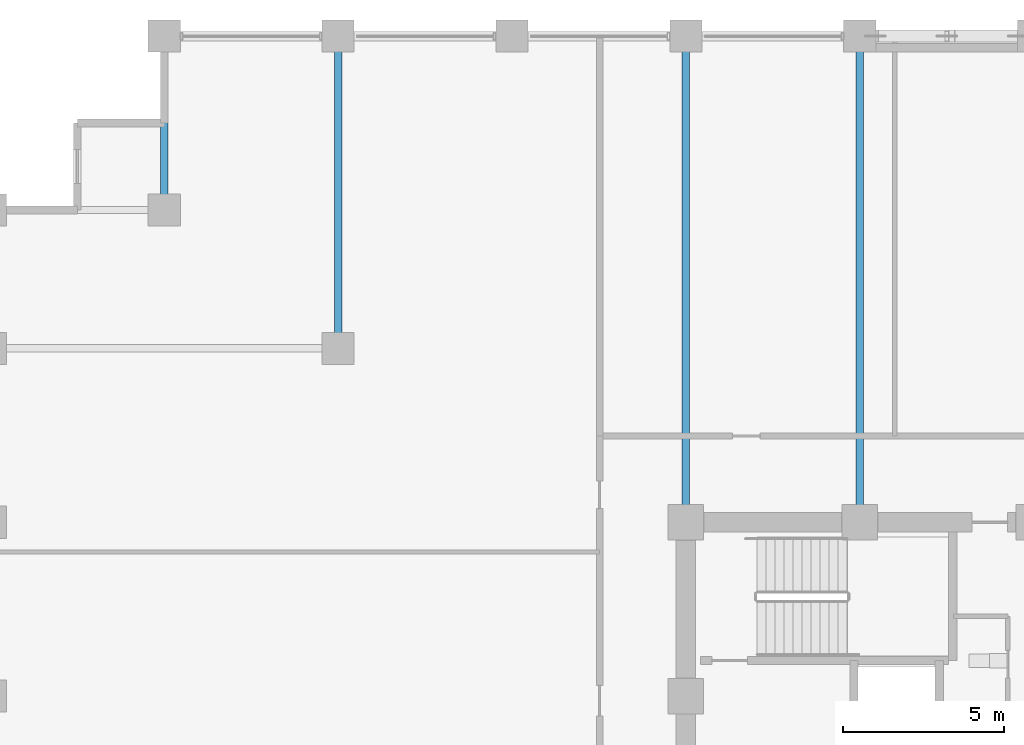
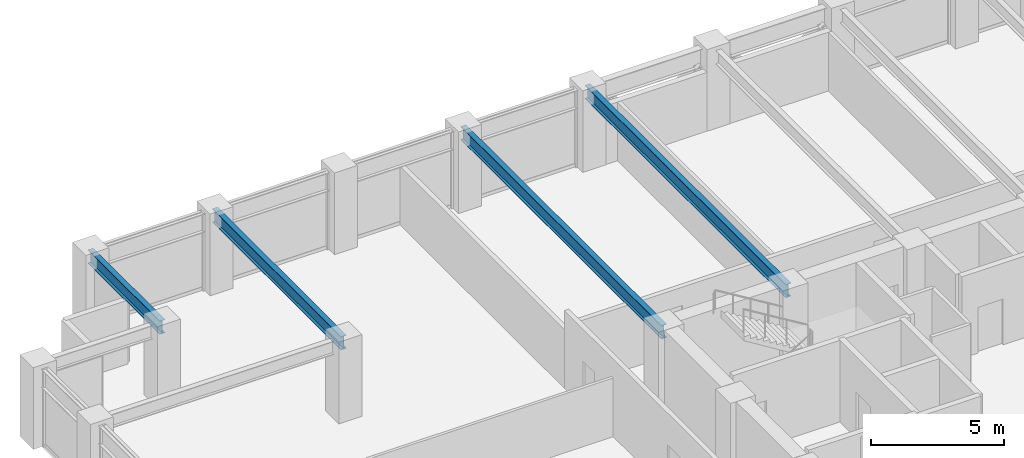
# One storey, part 11 of 23: 4 beams.
"""IFC4 building model written with IfcOpenShell, lengths in metres."""

from ifc_helpers import new_model, si_unit, direction, frame, origin, origin_2d, place, context, subcontext, project, spatial, i_section, extrude, material, material_profile, profile_set, type_object, element, save


model = new_model("IFC4")

# Units and contexts
model_context = context("Model", 3, precision=1e-05, world=origin(), true_north=direction((0.0, 1.0)))
body_context = subcontext(model_context, "Body", "Model", "MODEL_VIEW")
ifc_project = project(units=[si_unit("LENGTHUNIT", "METRE"), si_unit("AREAUNIT", "SQUARE_METRE"), si_unit("VOLUMEUNIT", "CUBIC_METRE"), si_unit("PLANEANGLEUNIT", "RADIAN"), si_unit("MASSUNIT", "GRAM", prefix="KILO")], contexts=[model_context])

# Site, building, storey
site_placement = place(None, origin())
site = spatial("IfcSite", under=ifc_project, at=site_placement, CompositionType="ELEMENT")
building_placement = place(site_placement, origin())
building = spatial("IfcBuilding", under=site, at=building_placement, Name="Surkhivell Harbour Commons", CompositionType="ELEMENT")
storey_placement = place(building_placement, frame((0.0, 0.0, 135.75)))
storey = spatial("IfcBuildingStorey", under=building, at=storey_placement, Name="L35", CompositionType="ELEMENT", Elevation=135.75)

# Beams
ifc_material = material(Name="Steel S355", Category="steel")
ifc_material_profile = material_profile(ifc_material, i_section(OverallWidth=0.22998046875, OverallDepth=0.616943359375, WebThickness=0.01318359375, FlangeThickness=0.022216796875, at=origin_2d()), Name="UB610x229x140")
ifc_profile_set = profile_set([ifc_material_profile], Name="Steel S355")
beam_type = type_object("IfcBeamType", Name="BM-GRD-610B", PredefinedType="BEAM", material=ifc_profile_set)
beam_1_placement = place(storey_placement, frame((-27.0, 20.5, 3.261474609375), z_axis=(0.0, 1.0, 0.0), x_axis=(-1.0, 0.0, 0.0)))
element("IfcBeam", 1, at=beam_1_placement, inside=storey, type_object=beam_type, Name="L35 Floor Girder (-27.0,20.5)", PredefinedType="BEAM", context=body_context, shape_type="SweptSolid", body=[
    extrude(i_section(OverallWidth=0.22998046875, OverallDepth=0.616943359375, WebThickness=0.01318359375, FlangeThickness=0.022216796875, at=origin_2d()), origin(), (0.0, 0.0, 1.0), 5.39990234375),
])
beam_2_placement = place(storey_placement, frame((-21.60009765625, 16.199951171875, 3.261474609375), z_axis=(0.0, 1.0, 0.0), x_axis=(-1.0, 0.0, 0.0)))
element("IfcBeam", 2, at=beam_2_placement, inside=storey, type_object=beam_type, Name="L35 Floor Girder (-21.6,16.2)", PredefinedType="BEAM", context=body_context, shape_type="SweptSolid", body=[
    extrude(i_section(OverallWidth=0.22998046875, OverallDepth=0.616943359375, WebThickness=0.01318359375, FlangeThickness=0.022216796875, at=origin_2d()), origin(), (0.0, 0.0, 1.0), 9.699951171875),
])
for number, where, z_axis, x_axis, name in (
    (3, (-10.800048828125, 10.800048828125, 3.261474609375), (0.0, 1.0, 0.0), (-1.0, 0.0, 0.0), "L35 Floor Girder (-10.8,10.8)"),
    (4, (-5.39990234375, 10.800048828125, 3.261474609375), (0.0, 1.0, 0.0), (-1.0, 0.0, 0.0), "L35 Floor Girder (-5.4,10.8)"),
):
    element("IfcBeam", number, at=place(storey_placement, frame(where, z_axis=z_axis, x_axis=x_axis)), inside=storey, type_object=beam_type, Name=name, PredefinedType="BEAM", context=body_context, shape_type="SweptSolid", body=[
        extrude(i_section(OverallWidth=0.22998046875, OverallDepth=0.616943359375, WebThickness=0.01318359375, FlangeThickness=0.022216796875, at=origin_2d()), origin(), (0.0, 0.0, 1.0), 15.099853515625),
    ])

save(model, "model.ifc")
